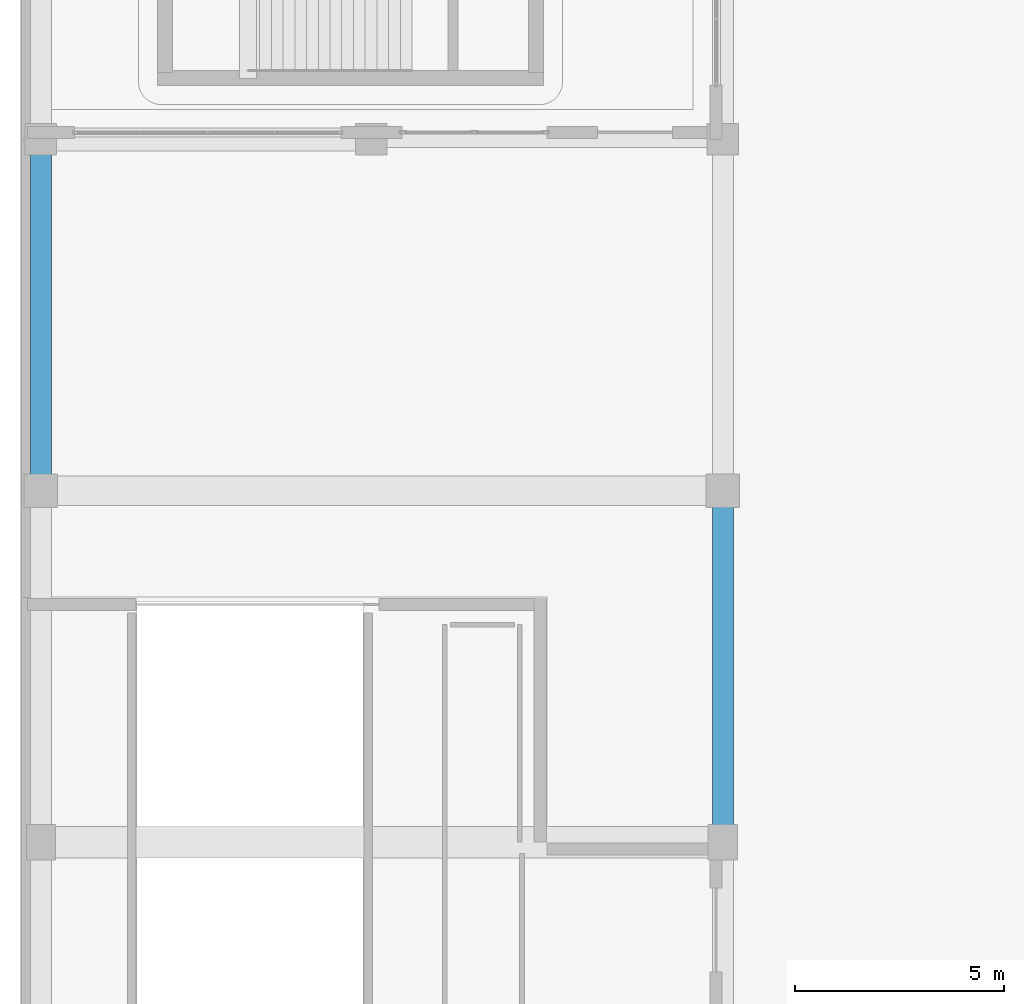
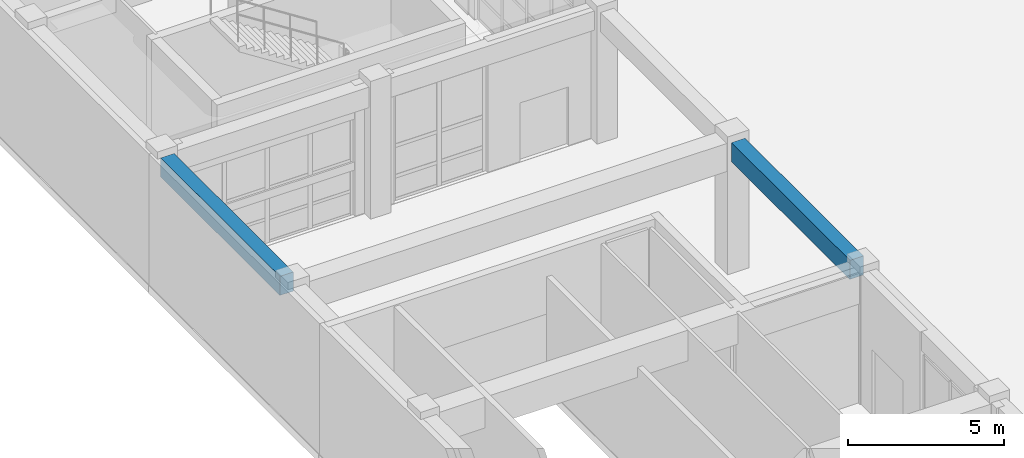
# One storey, part 29 of 148: 2 beams.
"""IFC4 building model written with IfcOpenShell, lengths in metres."""

import ifcopenshell
import ifcopenshell.guid

model = None  # the IFC model being written
_history = None  # IfcOwnerHistory: only IFC2X3 demands one
_inside = {}  # id of a spatial element -> (the spatial element, [elements in it])
_under = {}  # id of a project, library or spatial element -> (it, [spatial elements below it])
_declared = {}  # id of a project -> (the project, [libraries it declares])
_typed = {}  # id of a type object -> (the type object, [elements of that type])
_made_of = {}  # id of a material, layer set ... -> (it, [elements and type objects made of it])


def new_model(schema):
    """Start an empty IFC model of exactly this schema.

    Asked for "IFC4X3", IfcOpenShell would pick the latest addendum, in which some entities
    have other attributes; the version numbers below select the first issue.
    IFC2X3 requires an IfcOwnerHistory on every rooted entity: one is made here for all.
    """
    global model, _history
    if schema == "IFC4X3":
        model = ifcopenshell.file(schema_version=(4, 3, 0, 0))
    else:
        model = ifcopenshell.file(schema=schema)
    _inside.clear()
    _under.clear()
    _declared.clear()
    _typed.clear()
    _made_of.clear()
    _history = None
    if model.schema == "IFC2X3":
        org = make("IfcOrganization", Name="unknown")
        user = make(
            "IfcPersonAndOrganization",
            ThePerson=make("IfcPerson", FamilyName="unknown"),
            TheOrganization=org,
        )
        app = make(
            "IfcApplication",
            ApplicationDeveloper=org,
            Version="unknown",
            ApplicationFullName="unknown",
            ApplicationIdentifier="unknown",
        )
        _history = make(
            "IfcOwnerHistory",
            OwningUser=user,
            OwningApplication=app,
            ChangeAction="ADDED",
            CreationDate=0,
        )
    return model


def make(cls, **values):
    """One entity of the class cls with the attributes given. An attribute that is None is left unset."""
    return model.create_entity(
        cls, **{name: value for name, value in values.items() if value is not None}
    )


def rooted(cls, **values):
    """An entity with a GlobalId (a new one), such as an element, a storey or a relation."""
    return make(cls, GlobalId=ifcopenshell.guid.new(), OwnerHistory=_history, **values)


def si_unit(unit_type, name, prefix=None):
    """IfcSIUnit, for example si_unit("LENGTHUNIT", "METRE", prefix="MILLI")."""
    return make("IfcSIUnit", UnitType=unit_type, Prefix=prefix, Name=name)


def assignment(units):
    """IfcUnitAssignment: the units of a project."""
    return None if units is None else make("IfcUnitAssignment", Units=units)


def point(xyz):
    """IfcCartesianPoint."""
    return None if xyz is None else make("IfcCartesianPoint", Coordinates=xyz)


def direction(xyz):
    """IfcDirection."""
    return None if xyz is None else make("IfcDirection", DirectionRatios=xyz)


def frame(location, z_axis=None, x_axis=None):
    """IfcAxis2Placement3D, a coordinate frame: its origin and axes. An axis left out is left unset."""
    return make(
        "IfcAxis2Placement3D",
        Location=point(location),
        Axis=direction(z_axis),
        RefDirection=direction(x_axis),
    )


def frame_2d(location, x_axis=None):
    """IfcAxis2Placement2D, a coordinate frame in the plane: its origin and x axis."""
    return make(
        "IfcAxis2Placement2D", Location=point(location), RefDirection=direction(x_axis)
    )


def origin():
    """The frame at (0, 0, 0) with its axes left unset."""
    return frame((0.0, 0.0, 0.0))


def origin_2d():
    """The frame at (0, 0) in the plane with its x axis left unset."""
    return frame_2d((0.0, 0.0))


def place(relative_to, where):
    """IfcLocalPlacement: puts the frame where relative to a parent placement (None: the world)."""
    return make(
        "IfcLocalPlacement", PlacementRelTo=relative_to, RelativePlacement=where
    )


def context(
    kind, dimensions, precision=None, world=None, true_north=None, identifier=None
):
    """IfcGeometricRepresentationContext, for example the 3D "Model" context."""
    return make(
        "IfcGeometricRepresentationContext",
        ContextIdentifier=identifier,
        ContextType=kind,
        CoordinateSpaceDimension=dimensions,
        Precision=precision,
        WorldCoordinateSystem=world,
        TrueNorth=true_north,
    )


def subcontext(parent, identifier, kind, view, scale=None):
    """IfcGeometricRepresentationSubContext, for example "Body" below "Model"."""
    return make(
        "IfcGeometricRepresentationSubContext",
        ContextIdentifier=identifier,
        ContextType=kind,
        ParentContext=parent,
        TargetScale=scale,
        TargetView=view,
    )


def project(units=None, contexts=None):
    """IfcProject with its units and contexts."""
    return rooted(
        "IfcProject",
        Name="project",
        RepresentationContexts=contexts,
        UnitsInContext=assignment(units),
    )


def spatial(cls, under=None, at=None, **own):
    """A site, building, storey or space (cls), placed at a placement, below another one or the project."""
    s = rooted(cls, ObjectPlacement=at, **own)
    if under is not None:
        _under.setdefault(under.id(), (under, []))[1].append(s)
    return s


def profile(cls, at=None, kind="AREA", **sizes):
    """A parametric profile (cls). Its sizes go by their IFC names, for example OverallWidth=200.0."""
    return make(cls, ProfileType=kind, Position=at, **sizes)


def rectangle(**sizes):
    """IfcRectangleProfileDef."""
    return profile("IfcRectangleProfileDef", **sizes)


def extrude(swept, where, along, depth):
    """IfcExtrudedAreaSolid: the profile swept, set in the frame where, extruded along a direction by depth."""
    return make(
        "IfcExtrudedAreaSolid",
        SweptArea=swept,
        Position=where,
        ExtrudedDirection=direction(along),
        Depth=depth,
    )


def shape(context_of_items, identifier, shape_type, items):
    """IfcShapeRepresentation: the items that make up one representation, for example the "Body"."""
    return make(
        "IfcShapeRepresentation",
        ContextOfItems=context_of_items,
        RepresentationIdentifier=identifier,
        RepresentationType=shape_type,
        Items=items,
    )


def material(Name=None, Category=None):
    """IfcMaterial."""
    return make("IfcMaterial", Name=Name, Category=Category)


def material_profile(
    of_material, cross_section, Name=None, Category=None, Priority=None
):
    """IfcMaterialProfile: a cross section and its material."""
    return make(
        "IfcMaterialProfile",
        Name=Name,
        Material=of_material,
        Profile=cross_section,
        Priority=Priority,
        Category=Category,
    )


def profile_set(profiles, Name=None, composite=None):
    """IfcMaterialProfileSet."""
    return make(
        "IfcMaterialProfileSet",
        Name=Name,
        MaterialProfiles=profiles,
        CompositeProfile=composite,
    )


def made_of(thing, what):
    """Note that an element or type object is made of a material, layer set ...; save() writes the relation."""
    if what is not None:
        _made_of.setdefault(what.id(), (what, []))[1].append(thing)
    return thing


def type_object(cls, material=None, **own):
    """A type object (cls), such as IfcWallType, which elements share."""
    return made_of(rooted(cls, **own), material)


def element(
    cls,
    number,
    at=None,
    inside=None,
    cuts=None,
    type_object=None,
    material=None,
    context=None,
    identifier="Body",
    shape_type=None,
    held_by="IfcProductDefinitionShape",
    body=None,
    shapes=None,
    **own,
):
    """One element of the class cls, such as IfcWall. Its Tag is "e" and its number.

    at: its placement. inside: the storey or other place that contains it. cuts: it is an
    opening in that element (IfcRelVoidsElement). A single representation is given by context,
    identifier, shape_type and body (its items); several are given by shapes. held_by: the class
    of the entity that holds the representations. save() writes the other relations.
    """
    e = rooted(cls, Tag="e%d" % number, ObjectPlacement=at, **own)
    if body is not None:
        shapes = [shape(context, identifier, shape_type, body)]
    if shapes is not None:
        e.Representation = make(held_by, Representations=shapes)
    if inside is not None:
        _inside.setdefault(inside.id(), (inside, []))[1].append(e)
    if cuts is not None:
        rooted(
            "IfcRelVoidsElement", RelatingBuildingElement=cuts, RelatedOpeningElement=e
        )
    if type_object is not None:
        _typed.setdefault(type_object.id(), (type_object, []))[1].append(e)
    return made_of(e, material)


def aggregate(whole, parts):
    """IfcRelAggregates: a whole, such as a stair, and the parts it consists of."""
    return rooted("IfcRelAggregates", RelatingObject=whole, RelatedObjects=parts)


def save(model, path):
    """Write the relations noted so far, then the file.

    IfcRelAggregates (storeys below a building ...), IfcRelContainedInSpatialStructure (elements
    in a storey), IfcRelDefinesByType, IfcRelAssociatesMaterial and IfcRelDeclares: one each for
    every whole, place, type object, material and project.
    """
    for whole, parts in _under.values():
        aggregate(whole, parts)
    for where, things in _inside.values():
        rooted(
            "IfcRelContainedInSpatialStructure",
            RelatedElements=things,
            RelatingStructure=where,
        )
    for kind, things in _typed.values():
        rooted("IfcRelDefinesByType", RelatedObjects=things, RelatingType=kind)
    for what, things in _made_of.values():
        rooted("IfcRelAssociatesMaterial", RelatedObjects=things, RelatingMaterial=what)
    for by, libraries in _declared.values():
        rooted("IfcRelDeclares", RelatingContext=by, RelatedDefinitions=libraries)
    model.write(path)


model = new_model("IFC4")

# Units and contexts
model_context = context("Model", 3, precision=1e-05, world=origin(), true_north=direction((0.0, 1.0)))
body_context = subcontext(model_context, "Body", "Model", "MODEL_VIEW")
ifc_project = project(units=[si_unit("LENGTHUNIT", "METRE"), si_unit("AREAUNIT", "SQUARE_METRE"), si_unit("VOLUMEUNIT", "CUBIC_METRE"), si_unit("PLANEANGLEUNIT", "RADIAN"), si_unit("MASSUNIT", "GRAM", prefix="KILO")], contexts=[model_context])

# Site, building, storey
site_placement = place(None, origin())
site = spatial("IfcSite", under=ifc_project, at=site_placement, CompositionType="ELEMENT")
building_placement = place(site_placement, origin())
building = spatial("IfcBuilding", under=site, at=building_placement, Name="Quendrovan Civic Courthouse", CompositionType="ELEMENT")
storey_placement = place(building_placement, origin())
storey = spatial("IfcBuildingStorey", under=building, at=storey_placement, Name="L01", CompositionType="ELEMENT", Elevation=0.0)

# Beams
ifc_material = material(Name="Concrete C40/50", Category="concrete")
ifc_material_profile = material_profile(ifc_material, rectangle(XDim=0.5, YDim=0.75, at=origin_2d()), Name="RC-BM-500x750")
ifc_profile_set = profile_set([ifc_material_profile], Name="Concrete C40/50")
beam_type = type_object("IfcBeamType", Name="BM-RC750", PredefinedType="SPANDREL", material=ifc_profile_set)
beam_1_placement = place(storey_placement, frame((0.5, 48.3798828125, 4.7451171875), z_axis=(0.0, 1.0, 0.0), x_axis=(-1.0, 0.0, 0.0)))
element("IfcBeam", 1, at=beam_1_placement, inside=storey, type_object=beam_type, Name="L01 Girder Y0376", PredefinedType="SPANDREL", context=body_context, shape_type="SweptSolid", body=[
    extrude(rectangle(XDim=0.5, YDim=0.75, at=origin_2d()), origin(), (0.0, 0.0, 1.0), 7.6650390625),
])
beam_2_placement = place(storey_placement, frame((16.800048828125, 40.0048828125, 4.7451171875), z_axis=(0.0, 1.0, 0.0), x_axis=(-1.0, 0.0, 0.0)))
element("IfcBeam", 2, at=beam_2_placement, inside=storey, type_object=beam_type, Name="L01 Girder Y0392", PredefinedType="SPANDREL", context=body_context, shape_type="SweptSolid", body=[
    extrude(rectangle(XDim=0.5, YDim=0.75, at=origin_2d()), origin(), (0.0, 0.0, 1.0), 7.615234375),
])

save(model, "model.ifc")
